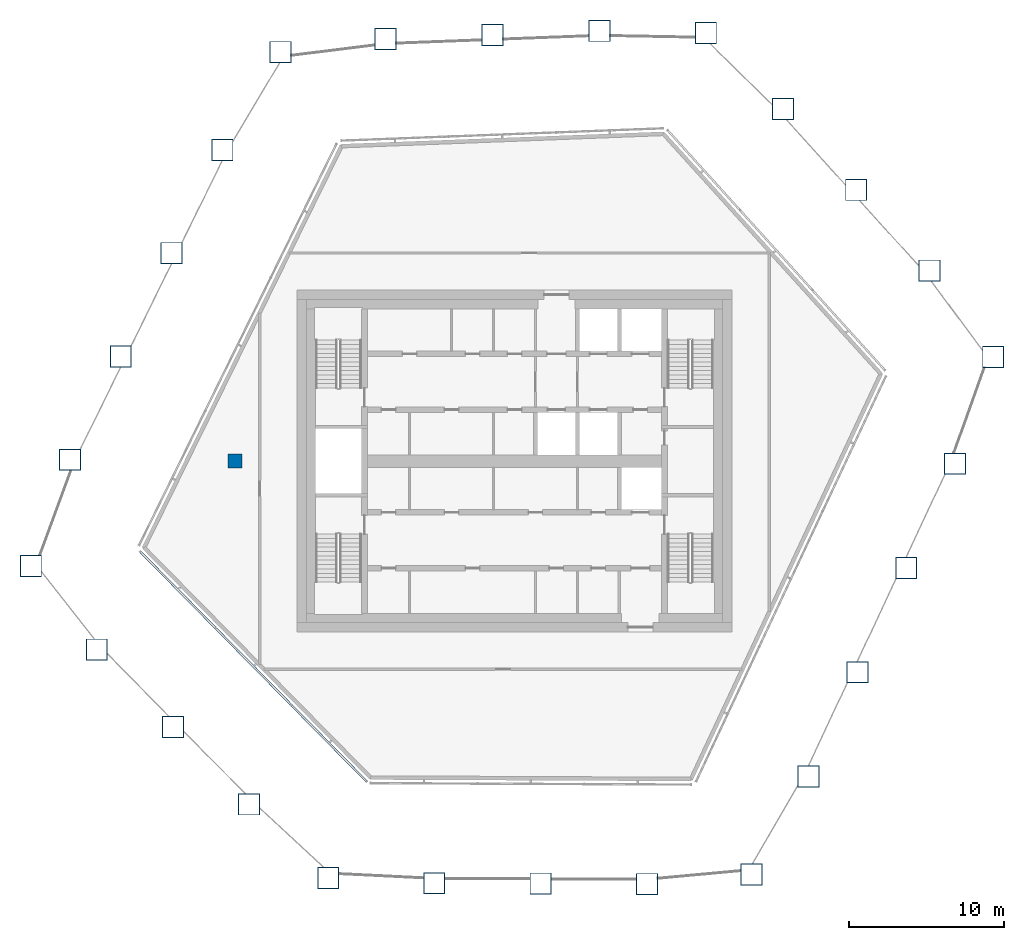
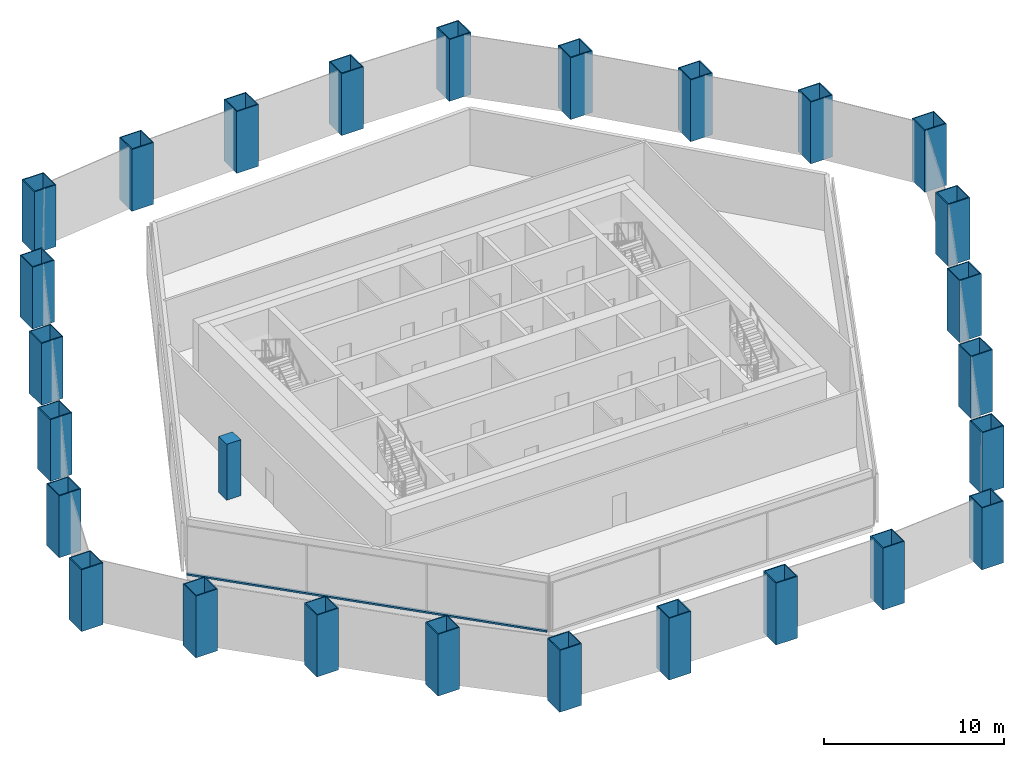
# One storey, part 1 of 18: 27 columns, 1 member, 1 element without a shape of its own.
"""IFC4 building model written with IfcOpenShell, lengths in metres."""

from ifc_helpers import new_model, si_unit, direction, frame, origin, origin_2d, place, context, subcontext, project, spatial, rectangle, hollow_rectangle, extrude, material, layer, layer_set, material_profile, profile_set, type_object, element, aggregate, save


model = new_model("IFC4")

# Units and contexts
model_context = context("Model", 3, precision=1e-05, world=origin(), true_north=direction((0.0, 1.0)))
body_context = subcontext(model_context, "Body", "Model", "MODEL_VIEW")
ifc_project = project(units=[si_unit("LENGTHUNIT", "METRE"), si_unit("AREAUNIT", "SQUARE_METRE"), si_unit("VOLUMEUNIT", "CUBIC_METRE"), si_unit("PLANEANGLEUNIT", "RADIAN"), si_unit("MASSUNIT", "GRAM", prefix="KILO")], contexts=[model_context])

# Site, building, storey
site_placement = place(None, origin())
site = spatial("IfcSite", under=ifc_project, at=site_placement, CompositionType="ELEMENT")
building_placement = place(site_placement, origin())
building = spatial("IfcBuilding", under=site, at=building_placement, Name="Dongbaek Canopy Tower", CompositionType="ELEMENT")
storey_placement = place(building_placement, frame((0.0, 0.0, 367.39990234375)))
storey = spatial("IfcBuildingStorey", under=building, at=storey_placement, Name="L79", CompositionType="ELEMENT", Elevation=367.39990234375)

# Columns
ifc_material_1 = material(Name="Steel S355", Category="steel")
ifc_material_profile_1 = material_profile(ifc_material_1, hollow_rectangle(XDim=1.39990234375, YDim=1.39990234375, WallThickness=0.06005859375, at=origin_2d()), Name="COLUMN BOX 1400x1400x60 Steel S355")
ifc_profile_set_1 = profile_set([ifc_material_profile_1], Name="Steel S355")
column_type_1 = type_object("IfcColumnType", Name="COLUMN BOX 1400x1400x60 Steel S355", PredefinedType="COLUMN", material=ifc_profile_set_1)
for number, where, z_axis, x_axis, name in (
    (1, (-31.12890625, -6.7451171875, 0.0), (0.0, 0.0, 1.0), (1.0, 0.0, 0.0), "CANOPYCOL:CCN-09:L79"),
    (2, (-26.888916015625, -12.134033203125, 0.0), (0.0, 0.0, 1.0), (1.0, 0.0, 0.0), "CANOPYCOL:CCN-08:L79"),
    (3, (-21.986083984375, -17.112060546875, 0.0), (0.0, 0.0, 1.0), (1.0, 0.0, 0.0), "CANOPYCOL:CCN-07:L79"),
    (4, (-17.083984375, -22.089111328125, 0.0), (0.0, 0.0, 1.0), (1.0, 0.0, 0.0), "CANOPYCOL:CCN-06:L79"),
    (5, (-11.985107421875, -26.8310546875, 0.0), (0.0, 0.0, 1.0), (1.0, 0.0, 0.0), "CANOPYCOL:CCN-05:L79"),
    (6, (-5.166015625, -27.1669921875, 0.0), (0.0, 0.0, 1.0), (1.0, 0.0, 0.0), "CANOPYCOL:CCN-04:L79"),
    (7, (1.68310546875, -27.197021484375, 0.0), (0.0, 0.0, 1.0), (1.0, 0.0, 0.0), "CANOPYCOL:CCN-03:L79"),
    (8, (8.533935546875, -27.22705078125, 0.0), (0.0, 0.0, 1.0), (1.0, 0.0, 0.0), "CANOPYCOL:CCN-02:L79"),
    (9, (15.251953125, -26.60693359375, 0.0), (0.0, 0.0, 1.0), (1.0, 0.0, 0.0), "CANOPYCOL:CCN-01:L79"),
    (10, (18.925048828125, -20.2958984375, 0.0), (0.0, 0.0, 1.0), (1.0, 0.0, 0.0), "CANOPYCOL:CCN-26:L79"),
    (11, (22.068115234375, -13.587890625, 0.0), (0.0, 0.0, 1.0), (1.0, 0.0, 0.0), "CANOPYCOL:CCN-25:L79"),
    (12, (25.2099609375, -6.87890625, 0.0), (0.0, 0.0, 1.0), (1.0, 0.0, 0.0), "CANOPYCOL:CCN-24:L79"),
    (13, (28.35107421875, -0.169921875, 0.0), (0.0, 0.0, 1.0), (1.0, 0.0, 0.0), "CANOPYCOL:CCN-23:L79"),
    (14, (30.804931640625, 6.697998046875, 0.0), (0.0, 0.0, 1.0), (1.0, 0.0, 0.0), "CANOPYCOL:CCN-22:L79"),
    (15, (26.702880859375, 12.257080078125, 0.0), (0.0, 0.0, 1.0), (1.0, 0.0, 0.0), "CANOPYCOL:CCN-21:L79"),
    (16, (21.989990234375, 17.4619140625, 0.0), (0.0, 0.0, 1.0), (1.0, 0.0, 0.0), "CANOPYCOL:CCN-20:L79"),
    (17, (17.27587890625, 22.666015625, 0.0), (0.0, 0.0, 1.0), (1.0, 0.0, 0.0), "CANOPYCOL:CCN-19:L79"),
    (18, (12.31396484375, 27.56298828125, 0.0), (0.0, 0.0, 1.0), (1.0, 0.0, 0.0), "CANOPYCOL:CCN-18:L79"),
    (19, (5.470947265625, 27.69189453125, 0.0), (0.0, 0.0, 1.0), (1.0, 0.0, 0.0), "CANOPYCOL:CCN-17:L79"),
    (20, (-1.41796875, 27.427978515625, 0.0), (0.0, 0.0, 1.0), (1.0, 0.0, 0.0), "CANOPYCOL:CCN-16:L79"),
    (21, (-8.30908203125, 27.1640625, 0.0), (0.0, 0.0, 1.0), (1.0, 0.0, 0.0), "CANOPYCOL:CCN-15:L79"),
    (22, (-15.06201171875, 26.321044921875, 0.0), (0.0, 0.0, 1.0), (1.0, 0.0, 0.0), "CANOPYCOL:CCN-14:L79"),
    (23, (-18.805908203125, 20.031982421875, 0.0), (0.0, 0.0, 1.0), (1.0, 0.0, 0.0), "CANOPYCOL:CCN-13:L79"),
    (24, (-22.075927734375, 13.384033203125, 0.0), (0.0, 0.0, 1.0), (1.0, 0.0, 0.0), "CANOPYCOL:CCN-12:L79"),
    (25, (-25.346923828125, 6.735107421875, 0.0), (0.0, 0.0, 1.0), (1.0, 0.0, 0.0), "CANOPYCOL:CCN-11:L79"),
    (26, (-28.616943359375, 0.0859375, 0.0), (0.0, 0.0, 1.0), (1.0, 0.0, 0.0), "CANOPYCOL:CCN-10:L79"),
):
    element("IfcColumn", number, at=place(storey_placement, frame(where, z_axis=z_axis, x_axis=x_axis)), inside=storey, type_object=column_type_1, Name=name, PredefinedType="COLUMN", context=body_context, shape_type="SweptSolid", body=[
        extrude(hollow_rectangle(XDim=1.39990234375, YDim=1.39990234375, WallThickness=0.06005859375, at=origin_2d()), origin(), (0.0, 0.0, 1.0), 4.2001953125),
    ])
ifc_material_2 = material(Name="Concrete C60", Category="concrete")
ifc_material_profile_2 = material_profile(ifc_material_2, rectangle(XDim=0.89990234375, YDim=0.89990234375, at=origin_2d()), Name="RC COLUMN 900x900 C60")
ifc_profile_set_2 = profile_set([ifc_material_profile_2], Name="Concrete C60")
column_type_2 = type_object("IfcColumnType", Name="RC COLUMN 900x900 C60", PredefinedType="COLUMN", material=ifc_profile_set_2)
column_placement = place(storey_placement, frame((-18.0, 0.0, 0.0), z_axis=(0.0, 0.0, 1.0), x_axis=(1.0, 0.0, 0.0)))
element("IfcColumn", 27, at=column_placement, inside=storey, type_object=column_type_2, Name="COL:CIC-01:L79", PredefinedType="COLUMN", context=body_context, shape_type="SweptSolid", body=[
    extrude(rectangle(XDim=0.89990234375, YDim=0.89990234375, at=origin_2d()), origin(), (0.0, 0.0, 1.0), 3.800048828125),
])

# Curtain wall, member
ifc_material_3 = material(Name="Aluminium 6063-T6 pale anodised", Category="aluminium")
ifc_layer = layer(ifc_material_3, 0.14990234375)
ifc_layer_set = layer_set([ifc_layer], Name="CW-7 louvre curtain wall")
curtain_wall_type = type_object("IfcCurtainWallType", Name="CW-7 louvre curtain wall", PredefinedType="NOTDEFINED", material=ifc_layer_set)
curtain_wall_placement = place(storey_placement, origin())
curtain_wall = element("IfcCurtainWall", 28, at=curtain_wall_placement, inside=storey, type_object=curtain_wall_type, Name="CW-7 louvre wall L79 F5", PredefinedType="NOTDEFINED")
ifc_material_4 = material(Name="Aluminium 6063-T6 pale anodised", Category="aluminium")
ifc_material_profile_3 = material_profile(ifc_material_4, rectangle(XDim=0.14990234375, YDim=0.1201171875, at=origin_2d()), Name="CW-7 transom 120 x 150")
ifc_profile_set_3 = profile_set([ifc_material_profile_3], Name="Aluminium 6063-T6 pale anodised")
member_type = type_object("IfcMemberType", Name="CW-7 transom 120 x 150", PredefinedType="USERDEFINED", material=ifc_profile_set_3)
member_placement = place(storey_placement, frame((-24.1005859375, -5.813720703125, 0.239990234375), z_axis=(0.701718568407, -0.712454244673, 0.0), x_axis=(0.712454244673, 0.701718568407, 0.0)))
member = element("IfcMember", 29, at=member_placement, type_object=member_type, Name="CW-7 transom L79 F5.1", ObjectType="TRANSOM", PredefinedType="USERDEFINED", context=body_context, shape_type="SweptSolid", body=[
    extrude(rectangle(XDim=0.14990234375, YDim=0.1201171875, at=origin_2d()), origin(), (0.0, 0.0, 1.0), 20.785400390625),
])
aggregate(curtain_wall, [member])

save(model, "model.ifc")
